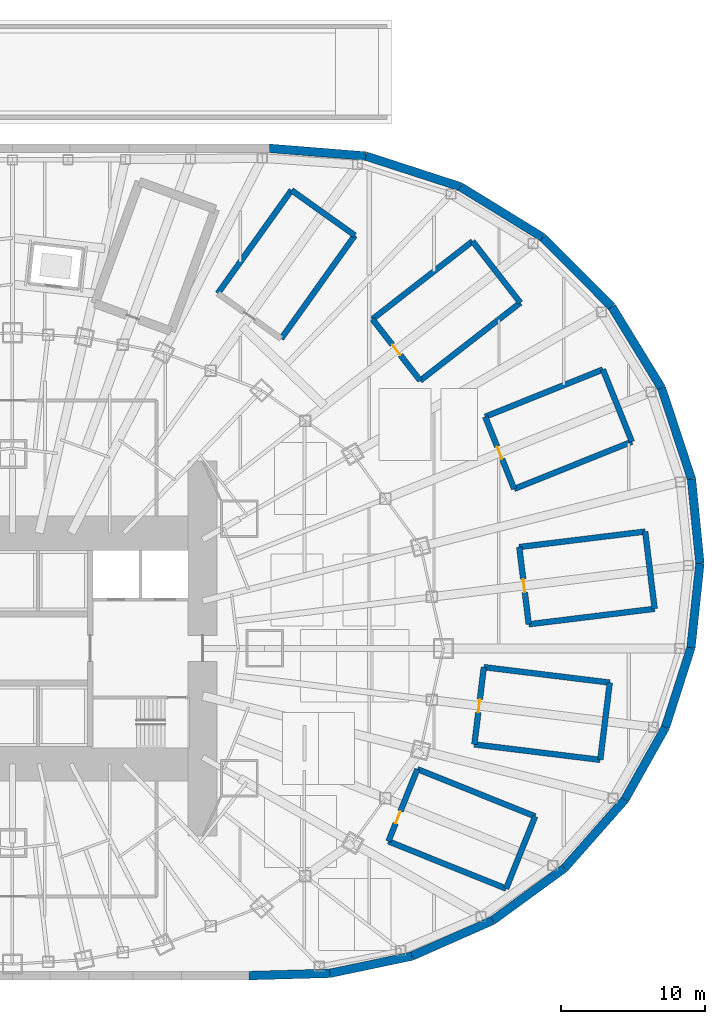
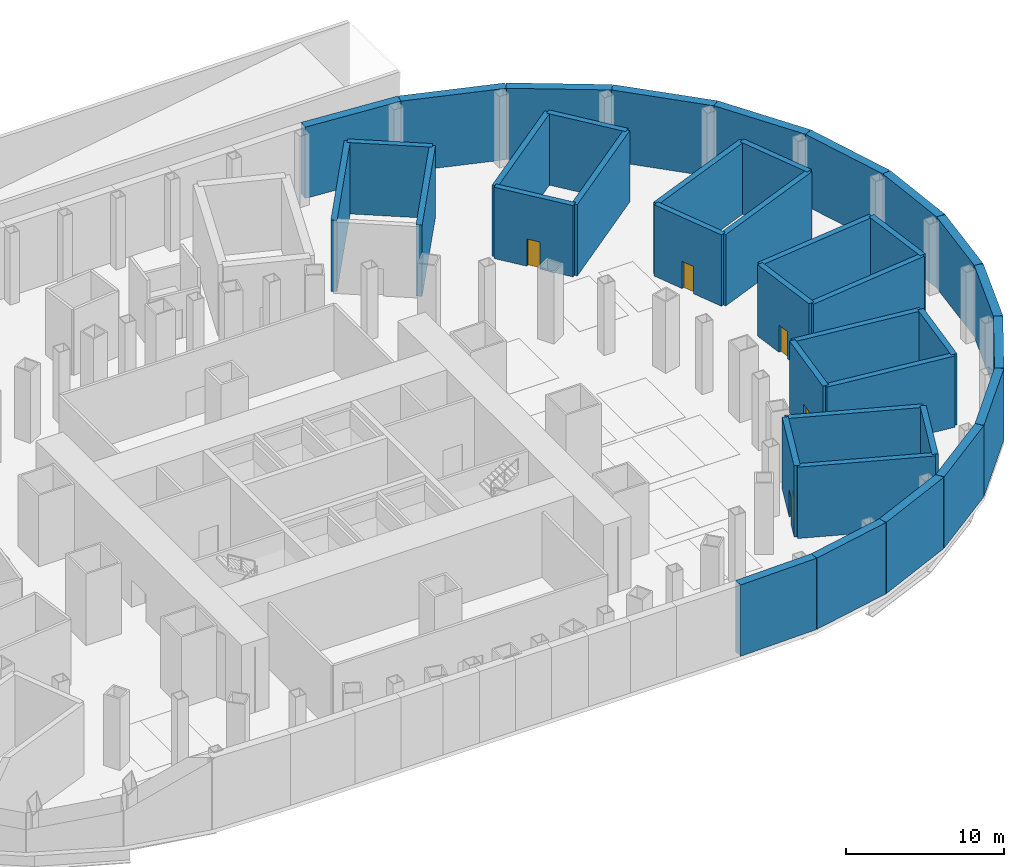
# One storey, part 13 of 19: 38 walls, 5 doors, 5 openings.
"""IFC4 building model written with IfcOpenShell, lengths in metres."""

from ifc_helpers import new_model, si_unit, direction, frame, frame_2d, origin, place, context, subcontext, project, spatial, rectangle, extrude, material, layer, layer_set, type_object, element, fill, save


model = new_model("IFC4")

# Units and contexts
model_context = context("Model", 3, precision=1e-05, world=origin(), true_north=direction((0.0, 1.0)))
body_context = subcontext(model_context, "Body", "Model", "MODEL_VIEW")
ifc_project = project(units=[si_unit("LENGTHUNIT", "METRE"), si_unit("AREAUNIT", "SQUARE_METRE"), si_unit("VOLUMEUNIT", "CUBIC_METRE"), si_unit("PLANEANGLEUNIT", "RADIAN"), si_unit("MASSUNIT", "GRAM", prefix="KILO")], contexts=[model_context])

# Site, building, storey
site_placement = place(None, origin())
site = spatial("IfcSite", under=ifc_project, at=site_placement, CompositionType="ELEMENT")
building_placement = place(site_placement, origin())
building = spatial("IfcBuilding", under=site, at=building_placement, Name="Lantaw Convention Tower", CompositionType="ELEMENT")
storey_placement = place(building_placement, frame((0.0, 0.0, -5.5)))
storey = spatial("IfcBuildingStorey", under=building, at=storey_placement, Name="B1", CompositionType="ELEMENT", Elevation=-5.5)

# Walls
ifc_material_1 = material(Name="Concrete C40/50", Category="concrete")
ifc_layer_1 = layer(ifc_material_1, 0.60009765625)
ifc_layer_set_1 = layer_set([ifc_layer_1], Name="Basement wall 600")
wall_type_1 = type_object("IfcWallType", Name="Basement wall 600", PredefinedType="SOLIDWALL", material=ifc_layer_set_1)
wall_1_placement = place(storey_placement, frame((47.077392578125, 0.062255859375, 0.0), z_axis=(0.0, 0.0, 1.0), x_axis=(0.105848228596, 0.994382296958, 0.0)))
element("IfcWall", 1, at=wall_1_placement, inside=storey, type_object=wall_type_1, Name="Basement retaining wall 1", PredefinedType="SOLIDWALL", context=body_context, shape_type="SweptSolid", body=[
    extrude(rectangle(XDim=5.865478515625, YDim=0.60009765625, at=frame_2d((2.9326171875, 0.0))), origin(), (0.0, 0.0, 1.0), 5.5),
])
wall_2_placement = place(storey_placement, frame((47.6982421875, 5.894775390625, 0.0), z_axis=(0.0, 0.0, 1.0), x_axis=(-0.099068856923, 0.99508058045, 0.0)))
element("IfcWall", 2, at=wall_2_placement, inside=storey, type_object=wall_type_1, Name="Basement retaining wall 2", PredefinedType="SOLIDWALL", context=body_context, shape_type="SweptSolid", body=[
    extrude(rectangle(XDim=5.892333984375, YDim=0.60009765625, at=frame_2d((2.9462890625, 0.0))), origin(), (0.0, 0.0, 1.0), 5.5),
])
wall_3_placement = place(storey_placement, frame((47.114501953125, 11.758056640625, 0.0), z_axis=(0.0, 0.0, 1.0), x_axis=(-0.312606584294, 0.949882689313, 0.0)))
element("IfcWall", 3, at=wall_3_placement, inside=storey, type_object=wall_type_1, Name="Basement retaining wall 3", PredefinedType="SOLIDWALL", context=body_context, shape_type="SweptSolid", body=[
    extrude(rectangle(XDim=6.638427734375, YDim=0.60009765625, at=frame_2d((3.3193359375, 0.0))), origin(), (0.0, 0.0, 1.0), 5.5),
])
wall_4_placement = place(storey_placement, frame((45.039306640625, 18.063720703125, 0.0), z_axis=(0.0, 0.0, 1.0), x_axis=(-0.522223921517, 0.852808405092, 0.0)))
element("IfcWall", 4, at=wall_4_placement, inside=storey, type_object=wall_type_1, Name="Basement retaining wall 4", PredefinedType="SOLIDWALL", context=body_context, shape_type="SweptSolid", body=[
    extrude(rectangle(XDim=6.620849609375, YDim=0.60009765625, at=frame_2d((3.310546875, 0.0))), origin(), (0.0, 0.0, 1.0), 5.5),
])
wall_5_placement = place(storey_placement, frame((41.581787109375, 23.7099609375, 0.0), z_axis=(0.0, 0.0, 1.0), x_axis=(-0.705901268363, 0.708310242283, 0.0)))
element("IfcWall", 5, at=wall_5_placement, inside=storey, type_object=wall_type_1, Name="Basement retaining wall 5", PredefinedType="SOLIDWALL", context=body_context, shape_type="SweptSolid", body=[
    extrude(rectangle(XDim=6.790283203125, YDim=0.60009765625, at=frame_2d((3.39501953125, 0.0))), origin(), (0.0, 0.0, 1.0), 5.5),
])
wall_6_placement = place(storey_placement, frame((36.78857421875, 28.51953125, 0.0), z_axis=(0.0, 0.0, 1.0), x_axis=(-0.851796965753, 0.523872054165, 0.0)))
element("IfcWall", 6, at=wall_6_placement, inside=storey, type_object=wall_type_1, Name="Basement retaining wall 6", PredefinedType="SOLIDWALL", context=body_context, shape_type="SweptSolid", body=[
    extrude(rectangle(XDim=6.70947265625, YDim=0.60009765625, at=frame_2d((3.354736328125, 0.0))), origin(), (0.0, 0.0, 1.0), 5.5),
])
wall_7_placement = place(storey_placement, frame((31.073486328125, 32.034423828125, 0.0), z_axis=(0.0, 0.0, 1.0), x_axis=(-0.951130883604, 0.308788021554, 0.0)))
element("IfcWall", 7, at=wall_7_placement, inside=storey, type_object=wall_type_1, Name="Basement retaining wall 7", PredefinedType="SOLIDWALL", context=body_context, shape_type="SweptSolid", body=[
    extrude(rectangle(XDim=6.890380859375, YDim=0.60009765625, at=frame_2d((3.4453125, 0.0))), origin(), (0.0, 0.0, 1.0), 5.5),
])
wall_8_placement = place(storey_placement, frame((24.519775390625, 34.162109375, 0.0), z_axis=(0.0, 0.0, 1.0), x_axis=(-0.996792017292, 0.080035456285, 0.0)))
element("IfcWall", 8, at=wall_8_placement, inside=storey, type_object=wall_type_1, Name="Basement retaining wall 8", PredefinedType="SOLIDWALL", context=body_context, shape_type="SweptSolid", body=[
    extrude(rectangle(XDim=6.719970703125, YDim=0.60009765625, at=frame_2d((3.35986328125, 0.0))), origin(), (0.0, 0.0, 1.0), 5.5),
])
wall_9_placement = place(storey_placement, frame((16.4013671875, -22.699951171875, 0.0), z_axis=(0.0, 0.0, 1.0), x_axis=(0.999592688558, 0.028538692699, 0.0)))
element("IfcWall", 9, at=wall_9_placement, inside=storey, type_object=wall_type_1, Name="Basement retaining wall 42", PredefinedType="SOLIDWALL", context=body_context, shape_type="SweptSolid", body=[
    extrude(rectangle(XDim=5.620361328125, YDim=0.60009765625, at=frame_2d((2.81005859375, 0.0))), origin(), (0.0, 0.0, 1.0), 5.5),
])
wall_10_placement = place(storey_placement, frame((22.01953125, -22.53955078125, 0.0), z_axis=(0.0, 0.0, 1.0), x_axis=(0.978621781645, 0.205668199998, 0.0)))
element("IfcWall", 10, at=wall_10_placement, inside=storey, type_object=wall_type_1, Name="Basement retaining wall 43", PredefinedType="SOLIDWALL", context=body_context, shape_type="SweptSolid", body=[
    extrude(rectangle(XDim=5.82373046875, YDim=0.60009765625, at=frame_2d((2.911865234375, 0.0))), origin(), (0.0, 0.0, 1.0), 5.5),
])
wall_11_placement = place(storey_placement, frame((27.71875, -21.341796875, 0.0), z_axis=(0.0, 0.0, 1.0), x_axis=(0.914848548113, 0.403797144636, 0.0)))
element("IfcWall", 11, at=wall_11_placement, inside=storey, type_object=wall_type_1, Name="Basement retaining wall 44", PredefinedType="SOLIDWALL", context=body_context, shape_type="SweptSolid", body=[
    extrude(rectangle(XDim=6.127685546875, YDim=0.60009765625, at=frame_2d((3.06396484375, 0.0))), origin(), (0.0, 0.0, 1.0), 5.5),
])
wall_12_placement = place(storey_placement, frame((33.32470703125, -18.867431640625, 0.0), z_axis=(0.0, 0.0, 1.0), x_axis=(0.807914805436, 0.589299301847, 0.0)))
element("IfcWall", 12, at=wall_12_placement, inside=storey, type_object=wall_type_1, Name="Basement retaining wall 45", PredefinedType="SOLIDWALL", context=body_context, shape_type="SweptSolid", body=[
    extrude(rectangle(XDim=6.163330078125, YDim=0.60009765625, at=frame_2d((3.08154296875, 0.0))), origin(), (0.0, 0.0, 1.0), 5.5),
])
wall_13_placement = place(storey_placement, frame((38.30419921875, -15.2353515625, 0.0), z_axis=(0.0, 0.0, 1.0), x_axis=(0.661181871868, 0.750225654262, 0.0)))
element("IfcWall", 13, at=wall_13_placement, inside=storey, type_object=wall_type_1, Name="Basement retaining wall 46", PredefinedType="SOLIDWALL", context=body_context, shape_type="SweptSolid", body=[
    extrude(rectangle(XDim=6.33642578125, YDim=0.60009765625, at=frame_2d((3.168212890625, 0.0))), origin(), (0.0, 0.0, 1.0), 5.5),
])
wall_14_placement = place(storey_placement, frame((42.49365234375, -10.481689453125, 0.0), z_axis=(0.0, 0.0, 1.0), x_axis=(0.489552343526, 0.871973911851, 0.0)))
element("IfcWall", 14, at=wall_14_placement, inside=storey, type_object=wall_type_1, Name="Basement retaining wall 47", PredefinedType="SOLIDWALL", context=body_context, shape_type="SweptSolid", body=[
    extrude(rectangle(XDim=5.740478515625, YDim=0.60009765625, at=frame_2d((2.8701171875, 0.0))), origin(), (0.0, 0.0, 1.0), 5.5),
])
wall_15_placement = place(storey_placement, frame((45.303955078125, -5.47607421875, 0.0), z_axis=(0.0, 0.0, 1.0), x_axis=(0.304958517607, 0.9523656349, 0.0)))
element("IfcWall", 15, at=wall_15_placement, inside=storey, type_object=wall_type_1, Name="Basement retaining wall 48", PredefinedType="SOLIDWALL", context=body_context, shape_type="SweptSolid", body=[
    extrude(rectangle(XDim=5.8154296875, YDim=0.60009765625, at=frame_2d((2.90771484375, 0.0))), origin(), (0.0, 0.0, 1.0), 5.5),
])
ifc_material_2 = material(Name="Concrete C40/50, stair core", Category="concrete")
ifc_layer_2 = layer(ifc_material_2, 0.39990234375)
ifc_layer_set_2 = layer_set([ifc_layer_2], Name="Stair core wall 400 EI 120")
wall_type_2 = type_object("IfcWallType", Name="Stair core wall 400 EI 120", PredefinedType="SHEAR", material=ifc_layer_set_2)
wall_16_placement = place(storey_placement, frame((35.82275390625, 1.67822265625, 0.0), z_axis=(0.0, 0.0, 1.0), x_axis=(0.992545280606, 0.121876437212, 0.0)))
element("IfcWall", 16, at=wall_16_placement, inside=storey, type_object=wall_type_2, Name="Stair core wall 400", PredefinedType="SHEAR", context=body_context, shape_type="SweptSolid", body=[
    extrude(rectangle(XDim=8.800048828125, YDim=0.39990234375, at=frame_2d((4.39990234375, 0.0))), origin(), (0.0, 0.0, 1.0), 5.5),
])
wall_17_placement = place(storey_placement, frame((44.55712890625, 2.750732421875, 0.0), z_axis=(0.0, 0.0, 1.0), x_axis=(-0.12184754212, 0.99254882826, 0.0)))
element("IfcWall", 17, at=wall_17_placement, inside=storey, type_object=wall_type_2, Name="Stair core wall 400", PredefinedType="SHEAR", context=body_context, shape_type="SweptSolid", body=[
    extrude(rectangle(XDim=5.39990234375, YDim=0.39990234375, at=frame_2d((2.699951171875, 0.0))), origin(), (0.0, 0.0, 1.0), 5.5),
])
wall_18_placement = place(storey_placement, frame((43.899169921875, 8.1103515625, 0.0), z_axis=(0.0, 0.0, 1.0), x_axis=(-0.992545280606, -0.121876437212, 0.0)))
element("IfcWall", 18, at=wall_18_placement, inside=storey, type_object=wall_type_2, Name="Stair core wall 400", PredefinedType="SHEAR", context=body_context, shape_type="SweptSolid", body=[
    extrude(rectangle(XDim=8.800048828125, YDim=0.39990234375, at=frame_2d((4.39990234375, 0.0))), origin(), (0.0, 0.0, 1.0), 5.5),
])

# Wall, opening, door
wall_19_placement = place(storey_placement, frame((35.164794921875, 7.037841796875, 0.0), z_axis=(0.0, 0.0, 1.0), x_axis=(0.12184754212, -0.99254882826, 0.0)))
wall_19 = element("IfcWall", 19, at=wall_19_placement, inside=storey, type_object=wall_type_2, Name="Stair core wall 400", PredefinedType="SHEAR", context=body_context, shape_type="SweptSolid", body=[
    extrude(rectangle(XDim=5.39990234375, YDim=0.39990234375, at=frame_2d((2.699951171875, 0.0))), origin(), (0.0, 0.0, 1.0), 5.5),
])
opening_1_placement = place(wall_19_placement, frame((2.25, 0.0, 0.0)))
opening_1 = element("IfcOpeningElement", 20, at=opening_1_placement, cuts=wall_19, Name="Opening B1.13", PredefinedType="OPENING", context=body_context, shape_type="SweptSolid", body=[
    extrude(rectangle(XDim=0.89990234375, YDim=2.10009765625, at=frame_2d((0.449951171875, 1.050048828125))), frame((0.0, 0.2099609375, 0.0), z_axis=(0.0, -1.0, 0.0), x_axis=(1.0, 0.0, 0.0)), (0.0, 0.0, 1.0), 0.419921875),
])
ifc_material_3 = material(Name="Steel, fire rated", Category="steel")
door_type = type_object("IfcDoorType", Name="Store door 900 FD60", OperationType="SINGLE_SWING_LEFT", PredefinedType="DOOR", material=ifc_material_3)
door_1_placement = place(opening_1_placement, origin())
door_1 = element("IfcDoor", 21, at=door_1_placement, inside=storey, type_object=door_type, Name="Store door", OperationType="SINGLE_SWING_LEFT", OverallHeight=2.10009765625, OverallWidth=0.89990234375, PredefinedType="DOOR", context=body_context, shape_type="SweptSolid", body=[
    extrude(rectangle(XDim=0.89990234375, YDim=2.10009765625, at=frame_2d((0.449951171875, 1.050048828125))), frame((0.0, 0.02490234375, 0.0), z_axis=(0.0, -1.0, 0.0), x_axis=(1.0, 0.0, 0.0)), (0.0, 0.0, 1.0), 0.050048828125),
])
fill(opening_1, door_1)

# Walls
wall_20_placement = place(storey_placement, frame((34.811767578125, 11.0654296875, 0.0), z_axis=(0.0, 0.0, 1.0), x_axis=(0.92801678004, 0.372538395288, 0.0)))
element("IfcWall", 22, at=wall_20_placement, inside=storey, type_object=wall_type_2, Name="Stair core wall 400", PredefinedType="SHEAR", context=body_context, shape_type="SweptSolid", body=[
    extrude(rectangle(XDim=8.800048828125, YDim=0.39990234375, at=frame_2d((4.39990234375, 0.0))), origin(), (0.0, 0.0, 1.0), 5.5),
])
wall_21_placement = place(storey_placement, frame((42.978271484375, 14.34375, 0.0), z_axis=(0.0, 0.0, 1.0), x_axis=(-0.372544066459, 0.928014503414, 0.0)))
element("IfcWall", 23, at=wall_21_placement, inside=storey, type_object=wall_type_2, Name="Stair core wall 400", PredefinedType="SHEAR", context=body_context, shape_type="SweptSolid", body=[
    extrude(rectangle(XDim=5.39990234375, YDim=0.39990234375, at=frame_2d((2.699951171875, 0.0))), origin(), (0.0, 0.0, 1.0), 5.5),
])
wall_22_placement = place(storey_placement, frame((40.966552734375, 19.35498046875, 0.0), z_axis=(0.0, 0.0, 1.0), x_axis=(-0.92801678004, -0.372538395288, 0.0)))
element("IfcWall", 24, at=wall_22_placement, inside=storey, type_object=wall_type_2, Name="Stair core wall 400", PredefinedType="SHEAR", context=body_context, shape_type="SweptSolid", body=[
    extrude(rectangle(XDim=8.800048828125, YDim=0.39990234375, at=frame_2d((4.39990234375, 0.0))), origin(), (0.0, 0.0, 1.0), 5.5),
])

# Wall, opening, door
wall_23_placement = place(storey_placement, frame((32.800048828125, 16.07666015625, 0.0), z_axis=(0.0, 0.0, 1.0), x_axis=(0.372544066459, -0.928014503414, 0.0)))
wall_23 = element("IfcWall", 25, at=wall_23_placement, inside=storey, type_object=wall_type_2, Name="Stair core wall 400", PredefinedType="SHEAR", context=body_context, shape_type="SweptSolid", body=[
    extrude(rectangle(XDim=5.39990234375, YDim=0.39990234375, at=frame_2d((2.699951171875, 0.0))), origin(), (0.0, 0.0, 1.0), 5.5),
])
opening_2_placement = place(wall_23_placement, frame((2.25, 0.0, 0.0)))
opening_2 = element("IfcOpeningElement", 26, at=opening_2_placement, cuts=wall_23, Name="Opening B1.14", PredefinedType="OPENING", context=body_context, shape_type="SweptSolid", body=[
    extrude(rectangle(XDim=0.89990234375, YDim=2.10009765625, at=frame_2d((0.449951171875, 1.050048828125))), frame((0.0, 0.2099609375, 0.0), z_axis=(0.0, -1.0, 0.0), x_axis=(1.0, 0.0, 0.0)), (0.0, 0.0, 1.0), 0.419921875),
])
door_2_placement = place(opening_2_placement, origin())
door_2 = element("IfcDoor", 27, at=door_2_placement, inside=storey, type_object=door_type, Name="Store door", OperationType="SINGLE_SWING_LEFT", OverallHeight=2.10009765625, OverallWidth=0.89990234375, PredefinedType="DOOR", context=body_context, shape_type="SweptSolid", body=[
    extrude(rectangle(XDim=0.89990234375, YDim=2.10009765625, at=frame_2d((0.449951171875, 1.050048828125))), frame((0.0, 0.02490234375, 0.0), z_axis=(0.0, -1.0, 0.0), x_axis=(1.0, 0.0, 0.0)), (0.0, 0.0, 1.0), 0.050048828125),
])
fill(opening_2, door_2)

# Walls
wall_24_placement = place(storey_placement, frame((28.292724609375, 18.5830078125, 0.0), z_axis=(0.0, 0.0, 1.0), x_axis=(0.78938060008, 0.613904119726, 0.0)))
element("IfcWall", 28, at=wall_24_placement, inside=storey, type_object=wall_type_2, Name="Stair core wall 400", PredefinedType="SHEAR", context=body_context, shape_type="SweptSolid", body=[
    extrude(rectangle(XDim=8.800048828125, YDim=0.39990234375, at=frame_2d((4.39990234375, 0.0))), origin(), (0.0, 0.0, 1.0), 5.5),
])
wall_25_placement = place(storey_placement, frame((35.2392578125, 23.9853515625, 0.0), z_axis=(0.0, 0.0, 1.0), x_axis=(-0.613912443548, 0.789374126544, 0.0)))
element("IfcWall", 29, at=wall_25_placement, inside=storey, type_object=wall_type_2, Name="Stair core wall 400", PredefinedType="SHEAR", context=body_context, shape_type="SweptSolid", body=[
    extrude(rectangle(XDim=5.400146484375, YDim=0.39990234375, at=frame_2d((2.7001953125, 0.0))), origin(), (0.0, 0.0, 1.0), 5.5),
])
wall_26_placement = place(storey_placement, frame((31.924072265625, 28.248046875, 0.0), z_axis=(0.0, 0.0, 1.0), x_axis=(-0.78938060008, -0.613904119726, 0.0)))
element("IfcWall", 30, at=wall_26_placement, inside=storey, type_object=wall_type_2, Name="Stair core wall 400", PredefinedType="SHEAR", context=body_context, shape_type="SweptSolid", body=[
    extrude(rectangle(XDim=8.800048828125, YDim=0.39990234375, at=frame_2d((4.39990234375, 0.0))), origin(), (0.0, 0.0, 1.0), 5.5),
])

# Wall, opening, door
wall_27_placement = place(storey_placement, frame((24.9775390625, 22.845703125, 0.0), z_axis=(0.0, 0.0, 1.0), x_axis=(0.613912443548, -0.789374126544, 0.0)))
wall_27 = element("IfcWall", 31, at=wall_27_placement, inside=storey, type_object=wall_type_2, Name="Stair core wall 400", PredefinedType="SHEAR", context=body_context, shape_type="SweptSolid", body=[
    extrude(rectangle(XDim=5.400146484375, YDim=0.39990234375, at=frame_2d((2.7001953125, 0.0))), origin(), (0.0, 0.0, 1.0), 5.5),
])
opening_3_placement = place(wall_27_placement, frame((2.25, 0.0, 0.0)))
opening_3 = element("IfcOpeningElement", 32, at=opening_3_placement, cuts=wall_27, Name="Opening B1.15", PredefinedType="OPENING", context=body_context, shape_type="SweptSolid", body=[
    extrude(rectangle(XDim=0.89990234375, YDim=2.10009765625, at=frame_2d((0.449951171875, 1.050048828125))), frame((0.0, 0.2099609375, 0.0), z_axis=(0.0, -1.0, 0.0), x_axis=(1.0, 0.0, 0.0)), (0.0, 0.0, 1.0), 0.419921875),
])
door_3_placement = place(opening_3_placement, origin())
door_3 = element("IfcDoor", 33, at=door_3_placement, inside=storey, type_object=door_type, Name="Store door", OperationType="SINGLE_SWING_LEFT", OverallHeight=2.10009765625, OverallWidth=0.89990234375, PredefinedType="DOOR", context=body_context, shape_type="SweptSolid", body=[
    extrude(rectangle(XDim=0.89990234375, YDim=2.10009765625, at=frame_2d((0.449951171875, 1.050048828125))), frame((0.0, 0.02490234375, 0.0), z_axis=(0.0, -1.0, 0.0), x_axis=(1.0, 0.0, 0.0)), (0.0, 0.0, 1.0), 0.050048828125),
])
fill(opening_3, door_3)

# Walls
wall_28_placement = place(storey_placement, frame((18.647216796875, 21.492919921875, 0.0), z_axis=(0.0, 0.0, 1.0), x_axis=(0.580705313356, 0.814113836659, 0.0)))
element("IfcWall", 34, at=wall_28_placement, inside=storey, type_object=wall_type_2, Name="Stair core wall 400", PredefinedType="SHEAR", context=body_context, shape_type="SweptSolid", body=[
    extrude(rectangle(XDim=8.7998046875, YDim=0.39990234375, at=frame_2d((4.39990234375, 0.0))), origin(), (0.0, 0.0, 1.0), 5.5),
])
wall_29_placement = place(storey_placement, frame((23.75732421875, 28.656982421875, 0.0), z_axis=(0.0, 0.0, 1.0), x_axis=(-0.814121252423, 0.580694916762, 0.0)))
element("IfcWall", 35, at=wall_29_placement, inside=storey, type_object=wall_type_2, Name="Stair core wall 400", PredefinedType="SHEAR", context=body_context, shape_type="SweptSolid", body=[
    extrude(rectangle(XDim=5.39990234375, YDim=0.39990234375, at=frame_2d((2.699951171875, 0.0))), origin(), (0.0, 0.0, 1.0), 5.5),
])
wall_30_placement = place(storey_placement, frame((19.361083984375, 31.792724609375, 0.0), z_axis=(0.0, 0.0, 1.0), x_axis=(-0.580705313356, -0.814113836659, 0.0)))
element("IfcWall", 36, at=wall_30_placement, inside=storey, type_object=wall_type_2, Name="Stair core wall 400", PredefinedType="SHEAR", context=body_context, shape_type="SweptSolid", body=[
    extrude(rectangle(XDim=8.7998046875, YDim=0.39990234375, at=frame_2d((4.39990234375, 0.0))), origin(), (0.0, 0.0, 1.0), 5.5),
])
wall_31_placement = place(storey_placement, frame((26.0869140625, -13.3818359375, 0.0), z_axis=(0.0, 0.0, 1.0), x_axis=(0.92801678004, -0.372538395288, 0.0)))
element("IfcWall", 37, at=wall_31_placement, inside=storey, type_object=wall_type_2, Name="Stair core wall 400", PredefinedType="SHEAR", context=body_context, shape_type="SweptSolid", body=[
    extrude(rectangle(XDim=8.800048828125, YDim=0.39990234375, at=frame_2d((4.39990234375, 0.0))), origin(), (0.0, 0.0, 1.0), 5.5),
])
wall_32_placement = place(storey_placement, frame((34.25341796875, -16.66015625, 0.0), z_axis=(0.0, 0.0, 1.0), x_axis=(0.372544066459, 0.928014503414, 0.0)))
element("IfcWall", 38, at=wall_32_placement, inside=storey, type_object=wall_type_2, Name="Stair core wall 400", PredefinedType="SHEAR", context=body_context, shape_type="SweptSolid", body=[
    extrude(rectangle(XDim=5.39990234375, YDim=0.39990234375, at=frame_2d((2.699951171875, 0.0))), origin(), (0.0, 0.0, 1.0), 5.5),
])
wall_33_placement = place(storey_placement, frame((36.26513671875, -11.64892578125, 0.0), z_axis=(0.0, 0.0, 1.0), x_axis=(-0.928007188331, 0.372562287955, 0.0)))
element("IfcWall", 39, at=wall_33_placement, inside=storey, type_object=wall_type_2, Name="Stair core wall 400", PredefinedType="SHEAR", context=body_context, shape_type="SweptSolid", body=[
    extrude(rectangle(XDim=8.800048828125, YDim=0.39990234375, at=frame_2d((4.39990234375, 0.0))), origin(), (0.0, 0.0, 1.0), 5.5),
])

# Wall, opening, door
wall_34_placement = place(storey_placement, frame((28.0986328125, -8.370361328125, 0.0), z_axis=(0.0, 0.0, 1.0), x_axis=(-0.372528436202, -0.928020777904, 0.0)))
wall_34 = element("IfcWall", 40, at=wall_34_placement, inside=storey, type_object=wall_type_2, Name="Stair core wall 400", PredefinedType="SHEAR", context=body_context, shape_type="SweptSolid", body=[
    extrude(rectangle(XDim=5.400146484375, YDim=0.39990234375, at=frame_2d((2.7001953125, 0.0))), origin(), (0.0, 0.0, 1.0), 5.5),
])
opening_4_placement = place(wall_34_placement, frame((3.14990234375, 0.0, 0.0)))
opening_4 = element("IfcOpeningElement", 41, at=opening_4_placement, cuts=wall_34, Name="Opening B1.24", PredefinedType="OPENING", context=body_context, shape_type="SweptSolid", body=[
    extrude(rectangle(XDim=0.89990234375, YDim=2.10009765625, at=frame_2d((0.449951171875, 1.050048828125))), frame((0.0, 0.2099609375, 0.0), z_axis=(0.0, -1.0, 0.0), x_axis=(1.0, 0.0, 0.0)), (0.0, 0.0, 1.0), 0.419921875),
])
door_4_placement = place(opening_4_placement, origin())
door_4 = element("IfcDoor", 42, at=door_4_placement, inside=storey, type_object=door_type, Name="Store door", OperationType="SINGLE_SWING_LEFT", OverallHeight=2.10009765625, OverallWidth=0.89990234375, PredefinedType="DOOR", context=body_context, shape_type="SweptSolid", body=[
    extrude(rectangle(XDim=0.89990234375, YDim=2.10009765625, at=frame_2d((0.449951171875, 1.050048828125))), frame((0.0, 0.02490234375, 0.0), z_axis=(0.0, -1.0, 0.0), x_axis=(1.0, 0.0, 0.0)), (0.0, 0.0, 1.0), 0.050048828125),
])
fill(opening_4, door_4)

# Walls
wall_35_placement = place(storey_placement, frame((32.050537109375, -6.655517578125, 0.0), z_axis=(0.0, 0.0, 1.0), x_axis=(0.992545280606, -0.121876437212, 0.0)))
element("IfcWall", 43, at=wall_35_placement, inside=storey, type_object=wall_type_2, Name="Stair core wall 400", PredefinedType="SHEAR", context=body_context, shape_type="SweptSolid", body=[
    extrude(rectangle(XDim=8.800048828125, YDim=0.39990234375, at=frame_2d((4.39990234375, 0.0))), origin(), (0.0, 0.0, 1.0), 5.5),
])
wall_36_placement = place(storey_placement, frame((40.784912109375, -7.72802734375, 0.0), z_axis=(0.0, 0.0, 1.0), x_axis=(0.121892082937, 0.992543359314, 0.0)))
element("IfcWall", 44, at=wall_36_placement, inside=storey, type_object=wall_type_2, Name="Stair core wall 400", PredefinedType="SHEAR", context=body_context, shape_type="SweptSolid", body=[
    extrude(rectangle(XDim=5.39990234375, YDim=0.39990234375, at=frame_2d((2.699951171875, 0.0))), origin(), (0.0, 0.0, 1.0), 5.5),
])
wall_37_placement = place(storey_placement, frame((41.443115234375, -2.368408203125, 0.0), z_axis=(0.0, 0.0, 1.0), x_axis=(-0.992545692684, 0.121873081252, 0.0)))
element("IfcWall", 45, at=wall_37_placement, inside=storey, type_object=wall_type_2, Name="Stair core wall 400", PredefinedType="SHEAR", context=body_context, shape_type="SweptSolid", body=[
    extrude(rectangle(XDim=8.80029296875, YDim=0.39990234375, at=frame_2d((4.400146484375, 0.0))), origin(), (0.0, 0.0, 1.0), 5.5),
])

# Wall, opening, door
wall_38_placement = place(storey_placement, frame((32.70849609375, -1.2958984375, 0.0), z_axis=(0.0, 0.0, 1.0), x_axis=(-0.12184754212, -0.99254882826, 0.0)))
wall_38 = element("IfcWall", 46, at=wall_38_placement, inside=storey, type_object=wall_type_2, Name="Stair core wall 400", PredefinedType="SHEAR", context=body_context, shape_type="SweptSolid", body=[
    extrude(rectangle(XDim=5.39990234375, YDim=0.39990234375, at=frame_2d((2.699951171875, 0.0))), origin(), (0.0, 0.0, 1.0), 5.5),
])
opening_5_placement = place(wall_38_placement, frame((2.25, 0.0, 0.0)))
opening_5 = element("IfcOpeningElement", 47, at=opening_5_placement, cuts=wall_38, Name="Opening B1.25", PredefinedType="OPENING", context=body_context, shape_type="SweptSolid", body=[
    extrude(rectangle(XDim=0.89990234375, YDim=2.10009765625, at=frame_2d((0.449951171875, 1.050048828125))), frame((0.0, 0.2099609375, 0.0), z_axis=(0.0, -1.0, 0.0), x_axis=(1.0, 0.0, 0.0)), (0.0, 0.0, 1.0), 0.419921875),
])
door_5_placement = place(opening_5_placement, origin())
door_5 = element("IfcDoor", 48, at=door_5_placement, inside=storey, type_object=door_type, Name="Store door", OperationType="SINGLE_SWING_LEFT", OverallHeight=2.10009765625, OverallWidth=0.89990234375, PredefinedType="DOOR", context=body_context, shape_type="SweptSolid", body=[
    extrude(rectangle(XDim=0.89990234375, YDim=2.10009765625, at=frame_2d((0.449951171875, 1.050048828125))), frame((0.0, 0.02490234375, 0.0), z_axis=(0.0, -1.0, 0.0), x_axis=(1.0, 0.0, 0.0)), (0.0, 0.0, 1.0), 0.050048828125),
])
fill(opening_5, door_5)

save(model, "model.ifc")
